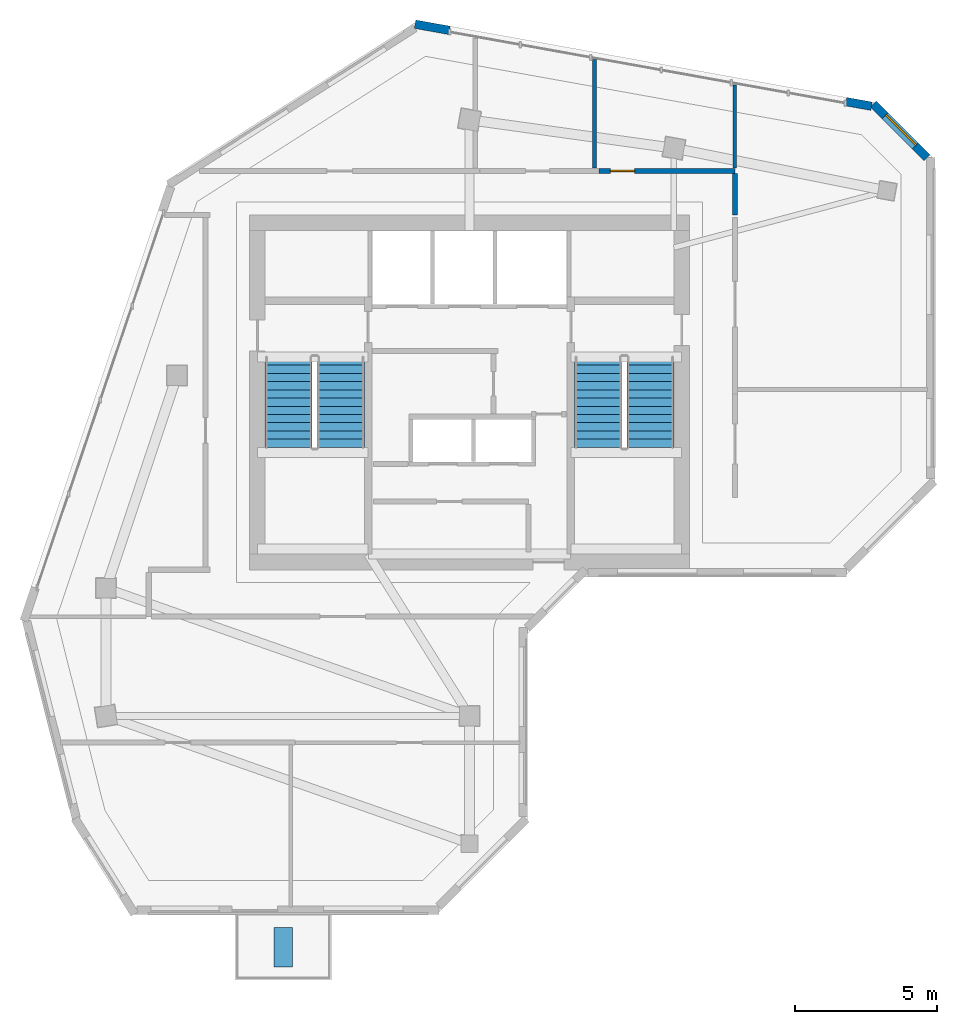
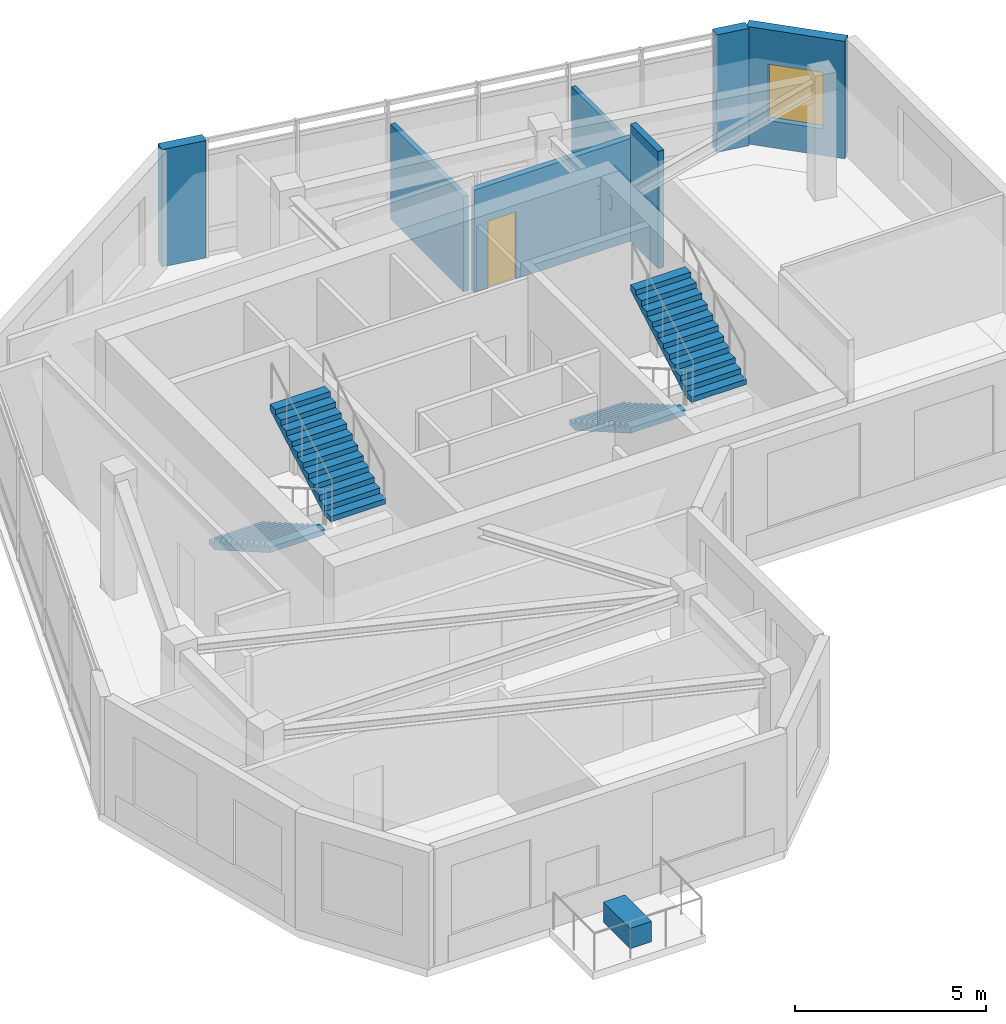
# One storey, part 5 of 8: 7 walls, 4 stair flights, 1 discrete accessory, 1 door, 1 window, 2 openings, 2 elements without a shape of their own.
"""IFC4 building model written with IfcOpenShell, lengths in metres."""

import ifcopenshell
import ifcopenshell.guid

model = None  # the IFC model being written
_history = None  # IfcOwnerHistory: only IFC2X3 demands one
_inside = {}  # id of a spatial element -> (the spatial element, [elements in it])
_under = {}  # id of a project, library or spatial element -> (it, [spatial elements below it])
_declared = {}  # id of a project -> (the project, [libraries it declares])
_typed = {}  # id of a type object -> (the type object, [elements of that type])
_made_of = {}  # id of a material, layer set ... -> (it, [elements and type objects made of it])


def new_model(schema):
    """Start an empty IFC model of exactly this schema.

    Asked for "IFC4X3", IfcOpenShell would pick the latest addendum, in which some entities
    have other attributes; the version numbers below select the first issue.
    IFC2X3 requires an IfcOwnerHistory on every rooted entity: one is made here for all.
    """
    global model, _history
    if schema == "IFC4X3":
        model = ifcopenshell.file(schema_version=(4, 3, 0, 0))
    else:
        model = ifcopenshell.file(schema=schema)
    _inside.clear()
    _under.clear()
    _declared.clear()
    _typed.clear()
    _made_of.clear()
    _history = None
    if model.schema == "IFC2X3":
        org = make("IfcOrganization", Name="unknown")
        user = make(
            "IfcPersonAndOrganization",
            ThePerson=make("IfcPerson", FamilyName="unknown"),
            TheOrganization=org,
        )
        app = make(
            "IfcApplication",
            ApplicationDeveloper=org,
            Version="unknown",
            ApplicationFullName="unknown",
            ApplicationIdentifier="unknown",
        )
        _history = make(
            "IfcOwnerHistory",
            OwningUser=user,
            OwningApplication=app,
            ChangeAction="ADDED",
            CreationDate=0,
        )
    return model


def make(cls, **values):
    """One entity of the class cls with the attributes given. An attribute that is None is left unset."""
    return model.create_entity(
        cls, **{name: value for name, value in values.items() if value is not None}
    )


def rooted(cls, **values):
    """An entity with a GlobalId (a new one), such as an element, a storey or a relation."""
    return make(cls, GlobalId=ifcopenshell.guid.new(), OwnerHistory=_history, **values)


def si_unit(unit_type, name, prefix=None):
    """IfcSIUnit, for example si_unit("LENGTHUNIT", "METRE", prefix="MILLI")."""
    return make("IfcSIUnit", UnitType=unit_type, Prefix=prefix, Name=name)


def assignment(units):
    """IfcUnitAssignment: the units of a project."""
    return None if units is None else make("IfcUnitAssignment", Units=units)


def point(xyz):
    """IfcCartesianPoint."""
    return None if xyz is None else make("IfcCartesianPoint", Coordinates=xyz)


def direction(xyz):
    """IfcDirection."""
    return None if xyz is None else make("IfcDirection", DirectionRatios=xyz)


def frame(location, z_axis=None, x_axis=None):
    """IfcAxis2Placement3D, a coordinate frame: its origin and axes. An axis left out is left unset."""
    return make(
        "IfcAxis2Placement3D",
        Location=point(location),
        Axis=direction(z_axis),
        RefDirection=direction(x_axis),
    )


def frame_2d(location, x_axis=None):
    """IfcAxis2Placement2D, a coordinate frame in the plane: its origin and x axis."""
    return make(
        "IfcAxis2Placement2D", Location=point(location), RefDirection=direction(x_axis)
    )


def origin():
    """The frame at (0, 0, 0) with its axes left unset."""
    return frame((0.0, 0.0, 0.0))


def origin_2d():
    """The frame at (0, 0) in the plane with its x axis left unset."""
    return frame_2d((0.0, 0.0))


def place(relative_to, where):
    """IfcLocalPlacement: puts the frame where relative to a parent placement (None: the world)."""
    return make(
        "IfcLocalPlacement", PlacementRelTo=relative_to, RelativePlacement=where
    )


def context(
    kind, dimensions, precision=None, world=None, true_north=None, identifier=None
):
    """IfcGeometricRepresentationContext, for example the 3D "Model" context."""
    return make(
        "IfcGeometricRepresentationContext",
        ContextIdentifier=identifier,
        ContextType=kind,
        CoordinateSpaceDimension=dimensions,
        Precision=precision,
        WorldCoordinateSystem=world,
        TrueNorth=true_north,
    )


def subcontext(parent, identifier, kind, view, scale=None):
    """IfcGeometricRepresentationSubContext, for example "Body" below "Model"."""
    return make(
        "IfcGeometricRepresentationSubContext",
        ContextIdentifier=identifier,
        ContextType=kind,
        ParentContext=parent,
        TargetScale=scale,
        TargetView=view,
    )


def project(units=None, contexts=None):
    """IfcProject with its units and contexts."""
    return rooted(
        "IfcProject",
        Name="project",
        RepresentationContexts=contexts,
        UnitsInContext=assignment(units),
    )


def spatial(cls, under=None, at=None, **own):
    """A site, building, storey or space (cls), placed at a placement, below another one or the project."""
    s = rooted(cls, ObjectPlacement=at, **own)
    if under is not None:
        _under.setdefault(under.id(), (under, []))[1].append(s)
    return s


def polyline(points):
    """IfcPolyline through the points."""
    return make("IfcPolyline", Points=[point(p) for p in points])


def profile(cls, at=None, kind="AREA", **sizes):
    """A parametric profile (cls). Its sizes go by their IFC names, for example OverallWidth=200.0."""
    return make(cls, ProfileType=kind, Position=at, **sizes)


def rectangle(**sizes):
    """IfcRectangleProfileDef."""
    return profile("IfcRectangleProfileDef", **sizes)


def outline(outer, holes=None, kind="AREA"):
    """IfcArbitraryClosedProfileDef: a profile drawn as a closed curve; with holes, ...WithVoids."""
    if holes is None:
        return make("IfcArbitraryClosedProfileDef", ProfileType=kind, OuterCurve=outer)
    return make(
        "IfcArbitraryProfileDefWithVoids",
        ProfileType=kind,
        OuterCurve=outer,
        InnerCurves=holes,
    )


def extrude(swept, where, along, depth):
    """IfcExtrudedAreaSolid: the profile swept, set in the frame where, extruded along a direction by depth."""
    return make(
        "IfcExtrudedAreaSolid",
        SweptArea=swept,
        Position=where,
        ExtrudedDirection=direction(along),
        Depth=depth,
    )


def shape(context_of_items, identifier, shape_type, items):
    """IfcShapeRepresentation: the items that make up one representation, for example the "Body"."""
    return make(
        "IfcShapeRepresentation",
        ContextOfItems=context_of_items,
        RepresentationIdentifier=identifier,
        RepresentationType=shape_type,
        Items=items,
    )


def source(mapping_origin, context_of_items, identifier, shape_type, items):
    """IfcRepresentationMap: a shape defined once, which mapped items show again and again."""
    return make(
        "IfcRepresentationMap",
        MappingOrigin=mapping_origin,
        MappedRepresentation=shape(context_of_items, identifier, shape_type, items),
    )


def transform(
    local_origin,
    x_axis=None,
    y_axis=None,
    z_axis=None,
    scale=None,
    scale2=None,
    scale3=None,
    uniform=True,
):
    """IfcCartesianTransformationOperator3D, or its non-uniform kind. x_axis, y_axis, z_axis: its Axis1, 2, 3."""
    if uniform:
        return make(
            "IfcCartesianTransformationOperator3D",
            Axis1=direction(x_axis),
            Axis2=direction(y_axis),
            LocalOrigin=point(local_origin),
            Scale=scale,
            Axis3=direction(z_axis),
        )
    return make(
        "IfcCartesianTransformationOperator3DnonUniform",
        Axis1=direction(x_axis),
        Axis2=direction(y_axis),
        LocalOrigin=point(local_origin),
        Scale=scale,
        Axis3=direction(z_axis),
        Scale2=scale2,
        Scale3=scale3,
    )


def mapped(mapping_source, mapping_target):
    """IfcMappedItem: shows the shape of a source again, moved by a transform."""
    return make(
        "IfcMappedItem", MappingSource=mapping_source, MappingTarget=mapping_target
    )


def material(Name=None, Category=None):
    """IfcMaterial."""
    return make("IfcMaterial", Name=Name, Category=Category)


def layer(
    of_material, thickness, ventilated=None, Name=None, Category=None, Priority=None
):
    """IfcMaterialLayer: one layer of a wall or slab, of a material (None: an air gap)."""
    return make(
        "IfcMaterialLayer",
        Material=of_material,
        LayerThickness=thickness,
        IsVentilated=ventilated,
        Name=Name,
        Category=Category,
        Priority=Priority,
    )


def layer_set(layers, Name=None):
    """IfcMaterialLayerSet."""
    return make("IfcMaterialLayerSet", MaterialLayers=layers, LayerSetName=Name)


def made_of(thing, what):
    """Note that an element or type object is made of a material, layer set ...; save() writes the relation."""
    if what is not None:
        _made_of.setdefault(what.id(), (what, []))[1].append(thing)
    return thing


def type_object(cls, material=None, **own):
    """A type object (cls), such as IfcWallType, which elements share."""
    return made_of(rooted(cls, **own), material)


def element(
    cls,
    number,
    at=None,
    inside=None,
    cuts=None,
    type_object=None,
    material=None,
    context=None,
    identifier="Body",
    shape_type=None,
    held_by="IfcProductDefinitionShape",
    body=None,
    shapes=None,
    **own,
):
    """One element of the class cls, such as IfcWall. Its Tag is "e" and its number.

    at: its placement. inside: the storey or other place that contains it. cuts: it is an
    opening in that element (IfcRelVoidsElement). A single representation is given by context,
    identifier, shape_type and body (its items); several are given by shapes. held_by: the class
    of the entity that holds the representations. save() writes the other relations.
    """
    e = rooted(cls, Tag="e%d" % number, ObjectPlacement=at, **own)
    if body is not None:
        shapes = [shape(context, identifier, shape_type, body)]
    if shapes is not None:
        e.Representation = make(held_by, Representations=shapes)
    if inside is not None:
        _inside.setdefault(inside.id(), (inside, []))[1].append(e)
    if cuts is not None:
        rooted(
            "IfcRelVoidsElement", RelatingBuildingElement=cuts, RelatedOpeningElement=e
        )
    if type_object is not None:
        _typed.setdefault(type_object.id(), (type_object, []))[1].append(e)
    return made_of(e, material)


def fill(opening, filler):
    """IfcRelFillsElement: the door or window that sits in an opening."""
    return rooted(
        "IfcRelFillsElement",
        RelatingOpeningElement=opening,
        RelatedBuildingElement=filler,
    )


def aggregate(whole, parts):
    """IfcRelAggregates: a whole, such as a stair, and the parts it consists of."""
    return rooted("IfcRelAggregates", RelatingObject=whole, RelatedObjects=parts)


def save(model, path):
    """Write the relations noted so far, then the file.

    IfcRelAggregates (storeys below a building ...), IfcRelContainedInSpatialStructure (elements
    in a storey), IfcRelDefinesByType, IfcRelAssociatesMaterial and IfcRelDeclares: one each for
    every whole, place, type object, material and project.
    """
    for whole, parts in _under.values():
        aggregate(whole, parts)
    for where, things in _inside.values():
        rooted(
            "IfcRelContainedInSpatialStructure",
            RelatedElements=things,
            RelatingStructure=where,
        )
    for kind, things in _typed.values():
        rooted("IfcRelDefinesByType", RelatedObjects=things, RelatingType=kind)
    for what, things in _made_of.values():
        rooted("IfcRelAssociatesMaterial", RelatedObjects=things, RelatingMaterial=what)
    for by, libraries in _declared.values():
        rooted("IfcRelDeclares", RelatingContext=by, RelatedDefinitions=libraries)
    model.write(path)


model = new_model("IFC4")

# Units and contexts
model_context = context("Model", 3, precision=1e-05, world=origin(), true_north=direction((0.0, 1.0)))
body_context = subcontext(model_context, "Body", "Model", "MODEL_VIEW")
ifc_project = project(units=[si_unit("LENGTHUNIT", "METRE"), si_unit("AREAUNIT", "SQUARE_METRE"), si_unit("VOLUMEUNIT", "CUBIC_METRE"), si_unit("PLANEANGLEUNIT", "RADIAN"), si_unit("MASSUNIT", "GRAM", prefix="KILO")], contexts=[model_context])

# Site, building, storey
site_placement = place(None, origin())
site = spatial("IfcSite", under=ifc_project, at=site_placement, CompositionType="ELEMENT")
building_placement = place(site_placement, origin())
building = spatial("IfcBuilding", under=site, at=building_placement, Name="Calvemar Wedge Station Tower", CompositionType="ELEMENT")
storey_placement = place(building_placement, frame((0.0, 0.0, 296.5)))
storey = spatial("IfcBuildingStorey", under=building, at=storey_placement, Name="L76", CompositionType="ELEMENT", Elevation=296.5)

# Wall, opening, door
ifc_material_1 = material(Name="Double-stud fire-rated corridor partition")
ifc_layer_1 = layer(ifc_material_1, 0.179931640625)
ifc_layer_set_1 = layer_set([ifc_layer_1], Name="Double-stud fire-rated corridor partition")
wall_type_1 = type_object("IfcWallType", Name="W-CORR-180", PredefinedType="PARTITIONING", material=ifc_layer_set_1)
wall_1_placement = place(storey_placement, frame((28.362060546875, 47.699951171875, 0.0), z_axis=(0.0, 0.0, 1.0), x_axis=(1.0, 0.0, 0.0)))
wall_1 = element("IfcWall", 1, at=wall_1_placement, inside=storey, type_object=wall_type_1, Name="Storey L76 Interior Partition WL-L76-014", PredefinedType="PARTITIONING", context=body_context, shape_type="SweptSolid", body=[
    extrude(rectangle(XDim=4.787841796875, YDim=0.179931640625, at=frame_2d((2.39404296875, 0.0))), origin(), (0.0, 0.0, 1.0), 3.279052734375),
])
shared_shape_1 = source(origin(), body_context, "Body", "SweptSolid", [
    extrude(rectangle(XDim=0.85009765625, YDim=2.14990234375, at=frame_2d((0.425048828125, 1.074951171875))), frame((0.0, 0.10009765625, 0.0), z_axis=(0.0, -1.0, 0.0), x_axis=(1.0, 0.0, 0.0)), (0.0, 0.0, 1.0), 0.199951171875),
])
opening_1_placement = place(wall_1_placement, frame((0.400634765625, 0.0, 0.0)))
opening_1 = element("IfcOpeningElement", 2, at=opening_1_placement, cuts=wall_1, Name="Opening D-02", PredefinedType="OPENING", context=body_context, shape_type="MappedRepresentation", body=[
    mapped(shared_shape_1, transform((0.0, 0.0, 0.0), scale=1.0)),
])
ifc_material_2 = material(Name="Moisture-sealed bathroom hardwood swing door", Category="wood")
door_type = type_object("IfcDoorType", Name="DR-WET-850", OperationType="NOTDEFINED", PredefinedType="DOOR", material=ifc_material_2)
shared_shape_2 = source(origin(), body_context, "Body", "SweptSolid", [
    extrude(rectangle(XDim=0.85009765625, YDim=2.14990234375, at=frame_2d((0.425048828125, 1.074951171875))), frame((0.0, 0.02490234375, 0.0), z_axis=(0.0, -1.0, 0.0), x_axis=(1.0, 0.0, 0.0)), (0.0, 0.0, 1.0), 0.050048828125),
])
door_placement = place(opening_1_placement, origin())
door = element("IfcDoor", 3, at=door_placement, inside=storey, type_object=door_type, Name="L76 Storage Room Door", OperationType="SINGLE_SWING_LEFT", OverallHeight=2.14990234375, OverallWidth=0.85009765625, PredefinedType="DOOR", context=body_context, shape_type="MappedRepresentation", body=[
    mapped(shared_shape_2, transform((0.0, 0.0, 0.0), scale=1.0)),
])
fill(opening_1, door)

# Wall
wall_2_placement = place(storey_placement, frame((33.14990234375, 47.60595703125, 0.0), z_axis=(0.0, 0.0, 1.0), x_axis=(0.0, -1.0, 0.0)))
element("IfcWall", 4, at=wall_2_placement, inside=storey, type_object=wall_type_1, Name="Storey L76 Interior Partition WL-L76-015", PredefinedType="PARTITIONING", context=body_context, shape_type="SweptSolid", body=[
    extrude(rectangle(XDim=1.4560546875, YDim=0.179931640625, at=frame_2d((0.72802734375, 0.0))), origin(), (0.0, 0.0, 1.0), 3.75),
])

# Wall, opening, window
ifc_material_3 = material(Name="Precast concrete C45", Category="concrete")
ifc_layer_2 = layer(ifc_material_3, 0.300048828125)
ifc_layer_set_2 = layer_set([ifc_layer_2], Name="Precast concrete C45")
wall_type_2 = type_object("IfcWallType", Name="W-EXT-GFRC-300", PredefinedType="SOLIDWALL", material=ifc_layer_set_2)
wall_3_placement = place(storey_placement, frame((39.912109375, 48.163818359375, 0.0), z_axis=(0.0, 0.0, 1.0), x_axis=(-0.70715242601, 0.707061133417, 0.0)))
wall_3 = element("IfcWall", 5, at=wall_3_placement, inside=storey, type_object=wall_type_2, Name="Storey L76 Bronze GFRC Exterior Wall 9", PredefinedType="SOLIDWALL", context=body_context, shape_type="SweptSolid", body=[
    extrude(rectangle(XDim=2.67431640625, YDim=0.300048828125, at=frame_2d((1.337158203125, 0.0))), origin(), (0.0, 0.0, 1.0), 3.75),
])
shared_shape_3 = source(origin(), body_context, "Body", "SweptSolid", [
    extrude(rectangle(XDim=1.5, YDim=1.800048828125, at=frame_2d((0.75, 0.89990234375))), frame((0.0, 0.16015625, 0.0), z_axis=(0.0, -1.0, 0.0), x_axis=(1.0, 0.0, 0.0)), (0.0, 0.0, 1.0), 0.320068359375),
])
opening_2_placement = place(wall_3_placement, frame((0.5869140625, 0.0, 0.85009765625)))
opening_2 = element("IfcOpeningElement", 6, at=opening_2_placement, cuts=wall_3, Name="Opening W3", PredefinedType="OPENING", context=body_context, shape_type="MappedRepresentation", body=[
    mapped(shared_shape_3, transform((0.0, 0.0, 0.0), scale=1.0)),
])
ifc_material_4 = material(Name="Low-E laminated insulated glass", Category="glass")
window_type = type_object("IfcWindowType", Name="WIN-EXT-3", PartitioningType="SINGLE_PANEL", PredefinedType="WINDOW", material=ifc_material_4)
shared_shape_4 = source(origin(), body_context, "Body", "SweptSolid", [
    extrude(rectangle(XDim=1.5, YDim=1.800048828125, at=frame_2d((0.75, 0.89990234375))), frame((0.0, -0.014892578125, 0.0), z_axis=(0.0, -1.0, 0.0), x_axis=(1.0, 0.0, 0.0)), (0.0, 0.0, 1.0), 0.06005859375),
])
window_placement = place(opening_2_placement, origin())
window = element("IfcWindow", 7, at=window_placement, inside=storey, type_object=window_type, Name="Storey L76 Recessed Window 9.1", OverallHeight=1.800048828125, OverallWidth=1.5, PartitioningType="SINGLE_PANEL", PredefinedType="WINDOW", context=body_context, shape_type="MappedRepresentation", body=[
    mapped(shared_shape_4, transform((0.0, 0.0, 0.0), scale=1.0)),
])
fill(opening_2, window)

# Walls
wall_4_placement = place(storey_placement, frame((37.961669921875, 49.978515625, 0.0), z_axis=(0.0, 0.0, 1.0), x_axis=(-0.984215051171, 0.176976645491, 0.0)))
element("IfcWall", 8, at=wall_4_placement, inside=storey, type_object=wall_type_2, Name="Storey L76 Bronze GFRC Corner Pier 10A", PredefinedType="SOLIDWALL", context=body_context, shape_type="SweptSolid", body=[
    extrude(rectangle(XDim=0.911865234375, YDim=0.300048828125, at=frame_2d((0.4560546875, 0.0))), origin(), (0.0, 0.0, 1.0), 3.75),
])
wall_5_placement = place(storey_placement, frame((23.093994140625, 52.65087890625, 0.0), z_axis=(0.0, 0.0, 1.0), x_axis=(-0.984233125072, 0.176876102146, 0.0)))
element("IfcWall", 9, at=wall_5_placement, inside=storey, type_object=wall_type_2, Name="Storey L76 Bronze GFRC Corner Pier 10B", PredefinedType="SOLIDWALL", context=body_context, shape_type="SweptSolid", body=[
    extrude(rectangle(XDim=1.229736328125, YDim=0.300048828125, at=frame_2d((0.61474609375, 0.0))), origin(), (0.0, 0.0, 1.0), 3.75),
])
ifc_material_5 = material(Name="Insulated acoustic gypsum stud partition")
ifc_layer_3 = layer(ifc_material_5, 0.125)
ifc_layer_set_3 = layer_set([ifc_layer_3], Name="Insulated acoustic gypsum stud partition")
wall_type_3 = type_object("IfcWallType", Name="W-PART-125", PredefinedType="PARTITIONING", material=ifc_layer_set_3)
wall_6_placement = place(storey_placement, frame((33.14990234375, 50.7265625, 0.0), z_axis=(0.0, 0.0, 1.0), x_axis=(0.0, -1.0, 0.0)))
element("IfcWall", 10, at=wall_6_placement, inside=storey, type_object=wall_type_3, Name="Storey L76 Interior Partition WL-L76-021", PredefinedType="PARTITIONING", context=body_context, shape_type="SweptSolid", body=[
    extrude(rectangle(XDim=2.9326171875, YDim=0.125, at=frame_2d((1.46630859375, 0.0))), origin(), (0.0, 0.0, 1.0), 3.0419921875),
])
ifc_material_6 = material(Name="Moisture-resistant acoustic bathroom partition")
ifc_layer_4 = layer(ifc_material_6, 0.14990234375)
ifc_layer_set_4 = layer_set([ifc_layer_4], Name="Moisture-resistant acoustic bathroom partition")
wall_type_4 = type_object("IfcWallType", Name="W-WET-150", PredefinedType="PARTITIONING", material=ifc_layer_set_4)
wall_7_placement = place(storey_placement, frame((28.199951171875, 51.6162109375, 0.0), z_axis=(0.0, 0.0, 1.0), x_axis=(0.0, -1.0, 0.0)))
element("IfcWall", 11, at=wall_7_placement, inside=storey, type_object=wall_type_4, Name="Storey L76 Interior Partition WL-L76-020", PredefinedType="PARTITIONING", context=body_context, shape_type="SweptSolid", body=[
    extrude(rectangle(XDim=3.822265625, YDim=0.14990234375, at=frame_2d((1.9111328125, 0.0))), origin(), (0.0, 0.0, 1.0), 3.0419921875),
])

# Stair, stair flights
ifc_material_7 = material(Name="Concrete C45", Category="concrete")
stair_type = type_object("IfcStairType", Name="ST-TYPE-4000", PredefinedType="HALF_TURN_STAIR", material=ifc_material_7)
stair_1_placement = place(storey_placement, origin())
stair_1 = element("IfcStair", 12, at=stair_1_placement, inside=storey, type_object=stair_type, Name="L76 Pressurized Core Exit Stair ST-C1", PredefinedType="HALF_TURN_STAIR")
stair_flight_type = type_object("IfcStairFlightType", Name="STF-TYPE-4000", PredefinedType="STRAIGHT", material=ifc_material_7)
stair_flight_1_placement = place(storey_placement, frame((17.429931640625, 41.14990234375, 0.0), z_axis=(0.0, 0.0, 1.0), x_axis=(0.0, -1.0, 0.0)))
stair_flight_1 = element("IfcStairFlight", 13, at=stair_flight_1_placement, type_object=stair_flight_type, Name="ST-C1 flight 1", NumberOfRisers=12, NumberOfTreads=11, PredefinedType="STRAIGHT", RiserHeight=0.166666667, TreadLength=0.29, context=body_context, shape_type="SweptSolid", body=[
    extrude(outline(polyline([(0.0, 0.0), (0.0, 0.166748046875), (0.2900390625, 0.166748046875), (0.2900390625, 0.333251953125), (0.580078125, 0.333251953125), (0.580078125, 0.5), (0.8701171875, 0.5), (0.8701171875, 0.666748046875), (1.159912109375, 0.666748046875), (1.159912109375, 0.833251953125), (1.449951171875, 0.833251953125), (1.449951171875, 1.0), (1.739990234375, 1.0), (1.739990234375, 1.166748046875), (2.030029296875, 1.166748046875), (2.030029296875, 1.333251953125), (2.320068359375, 1.333251953125), (2.320068359375, 1.5), (2.610107421875, 1.5), (2.610107421875, 1.666748046875), (2.89990234375, 1.666748046875), (2.89990234375, 1.833251953125), (3.18994140625, 1.833251953125), (3.18994140625, 2.0), (3.18994140625, 1.660400390625), (0.30078125, 0.0), (0.0, 0.0)])), frame((0.0, 0.830078125, 0.0), z_axis=(0.0, -1.0, 0.0), x_axis=(1.0, 0.0, 0.0)), (0.0, 0.0, 1.0), 1.659912109375),
])
stair_flight_2_placement = place(storey_placement, frame((19.27001953125, 37.9599609375, 2.0), z_axis=(0.0, 0.0, 1.0), x_axis=(0.0, 1.0, 0.0)))
stair_flight_2 = element("IfcStairFlight", 14, at=stair_flight_2_placement, type_object=stair_flight_type, Name="ST-C1 flight 2", NumberOfRisers=12, NumberOfTreads=11, PredefinedType="STRAIGHT", RiserHeight=0.166666667, TreadLength=0.29, context=body_context, shape_type="SweptSolid", body=[
    extrude(outline(polyline([(0.0, 0.0), (0.0, 0.166748046875), (0.2900390625, 0.166748046875), (0.2900390625, 0.333251953125), (0.580078125, 0.333251953125), (0.580078125, 0.5), (0.8701171875, 0.5), (0.8701171875, 0.666748046875), (1.159912109375, 0.666748046875), (1.159912109375, 0.833251953125), (1.449951171875, 0.833251953125), (1.449951171875, 1.0), (1.739990234375, 1.0), (1.739990234375, 1.166748046875), (2.030029296875, 1.166748046875), (2.030029296875, 1.333251953125), (2.320068359375, 1.333251953125), (2.320068359375, 1.5), (2.610107421875, 1.5), (2.610107421875, 1.666748046875), (2.89990234375, 1.666748046875), (2.89990234375, 1.833251953125), (3.18994140625, 1.833251953125), (3.18994140625, 2.0), (3.18994140625, 1.660400390625), (0.30078125, 0.0), (0.0, 0.0)])), frame((0.0, 0.830078125, 0.0), z_axis=(0.0, -1.0, 0.0), x_axis=(1.0, 0.0, 0.0)), (0.0, 0.0, 1.0), 1.659912109375),
])
aggregate(stair_1, [stair_flight_1, stair_flight_2])

stair_2_placement = place(storey_placement, origin())
stair_2 = element("IfcStair", 15, at=stair_2_placement, inside=storey, type_object=stair_type, Name="L76 Pressurized Core Exit Stair ST-C2", PredefinedType="HALF_TURN_STAIR")
stair_flight_3_placement = place(storey_placement, frame((28.330078125, 41.14990234375, 0.0), z_axis=(0.0, 0.0, 1.0), x_axis=(0.0, -1.0, 0.0)))
stair_flight_3 = element("IfcStairFlight", 16, at=stair_flight_3_placement, type_object=stair_flight_type, Name="ST-C2 flight 1", NumberOfRisers=12, NumberOfTreads=11, PredefinedType="STRAIGHT", RiserHeight=0.166666667, TreadLength=0.29, context=body_context, shape_type="SweptSolid", body=[
    extrude(outline(polyline([(0.0, 0.0), (0.0, 0.166748046875), (0.2900390625, 0.166748046875), (0.2900390625, 0.333251953125), (0.580078125, 0.333251953125), (0.580078125, 0.5), (0.8701171875, 0.5), (0.8701171875, 0.666748046875), (1.159912109375, 0.666748046875), (1.159912109375, 0.833251953125), (1.449951171875, 0.833251953125), (1.449951171875, 1.0), (1.739990234375, 1.0), (1.739990234375, 1.166748046875), (2.030029296875, 1.166748046875), (2.030029296875, 1.333251953125), (2.320068359375, 1.333251953125), (2.320068359375, 1.5), (2.610107421875, 1.5), (2.610107421875, 1.666748046875), (2.89990234375, 1.666748046875), (2.89990234375, 1.833251953125), (3.18994140625, 1.833251953125), (3.18994140625, 2.0), (3.18994140625, 1.660400390625), (0.30078125, 0.0), (0.0, 0.0)])), frame((0.0, 0.830078125, 0.0), z_axis=(0.0, -1.0, 0.0), x_axis=(1.0, 0.0, 0.0)), (0.0, 0.0, 1.0), 1.659912109375),
])
stair_flight_4_placement = place(storey_placement, frame((30.169921875, 37.9599609375, 2.0), z_axis=(0.0, 0.0, 1.0), x_axis=(0.0, 1.0, 0.0)))
stair_flight_4 = element("IfcStairFlight", 17, at=stair_flight_4_placement, type_object=stair_flight_type, Name="ST-C2 flight 2", NumberOfRisers=12, NumberOfTreads=11, PredefinedType="STRAIGHT", RiserHeight=0.166666667, TreadLength=0.29, context=body_context, shape_type="SweptSolid", body=[
    extrude(outline(polyline([(0.0, 0.0), (0.0, 0.166748046875), (0.2900390625, 0.166748046875), (0.2900390625, 0.333251953125), (0.580078125, 0.333251953125), (0.580078125, 0.5), (0.8701171875, 0.5), (0.8701171875, 0.666748046875), (1.159912109375, 0.666748046875), (1.159912109375, 0.833251953125), (1.449951171875, 0.833251953125), (1.449951171875, 1.0), (1.739990234375, 1.0), (1.739990234375, 1.166748046875), (2.030029296875, 1.166748046875), (2.030029296875, 1.333251953125), (2.320068359375, 1.333251953125), (2.320068359375, 1.5), (2.610107421875, 1.5), (2.610107421875, 1.666748046875), (2.89990234375, 1.666748046875), (2.89990234375, 1.833251953125), (3.18994140625, 1.833251953125), (3.18994140625, 2.0), (3.18994140625, 1.660400390625), (0.30078125, 0.0), (0.0, 0.0)])), frame((0.0, 0.830078125, 0.0), z_axis=(0.0, -1.0, 0.0), x_axis=(1.0, 0.0, 0.0)), (0.0, 0.0, 1.0), 1.659912109375),
])
aggregate(stair_2, [stair_flight_3, stair_flight_4])

# Discrete accessory
discrete_accessory_type = type_object("IfcDiscreteAccessoryType", Name="ACC-PLANTER", PredefinedType="USERDEFINED", material=ifc_material_3)
shared_shape_5 = source(origin(), body_context, "Body", "SweptSolid", [
    extrude(rectangle(XDim=0.64990234375, YDim=1.39990234375, at=origin_2d()), origin(), (0.0, 0.0, 1.0), 0.64990234375),
])
discrete_accessory_placement = place(storey_placement, frame((17.239990234375, 20.35009765625, 0.0), z_axis=(0.0, 0.0, 1.0), x_axis=(1.0, 0.0, 0.0)))
element("IfcDiscreteAccessory", 18, at=discrete_accessory_placement, inside=storey, type_object=discrete_accessory_type, Name="Storey L76 Planted Terrace GFRC Planter", ObjectType="PLANTER", PredefinedType="USERDEFINED", context=body_context, shape_type="MappedRepresentation", body=[
    mapped(shared_shape_5, transform((0.0, 0.0, 0.0), scale=1.0)),
])

save(model, "model.ifc")
